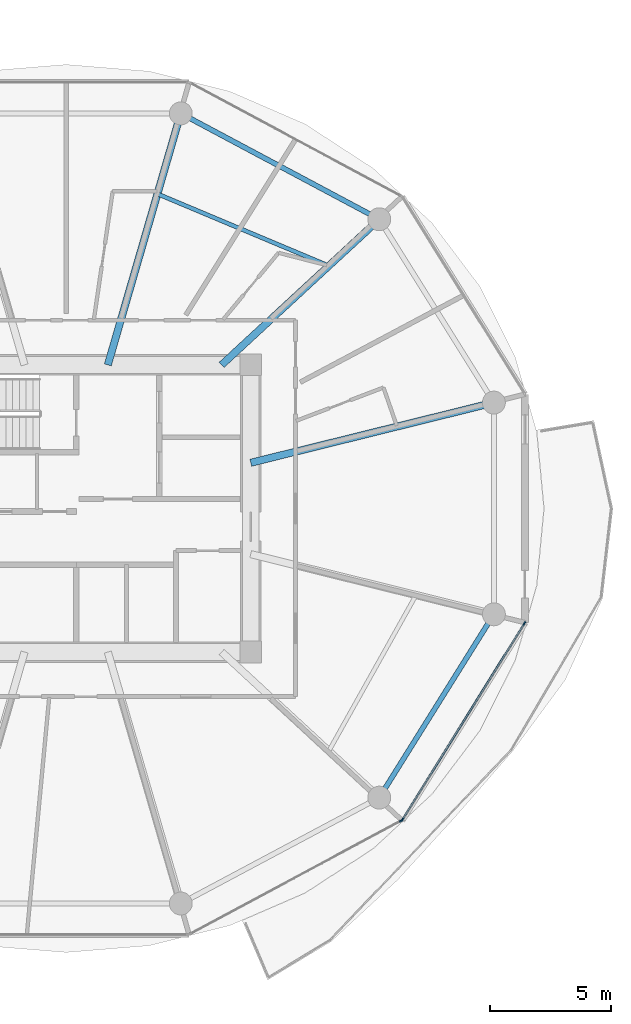
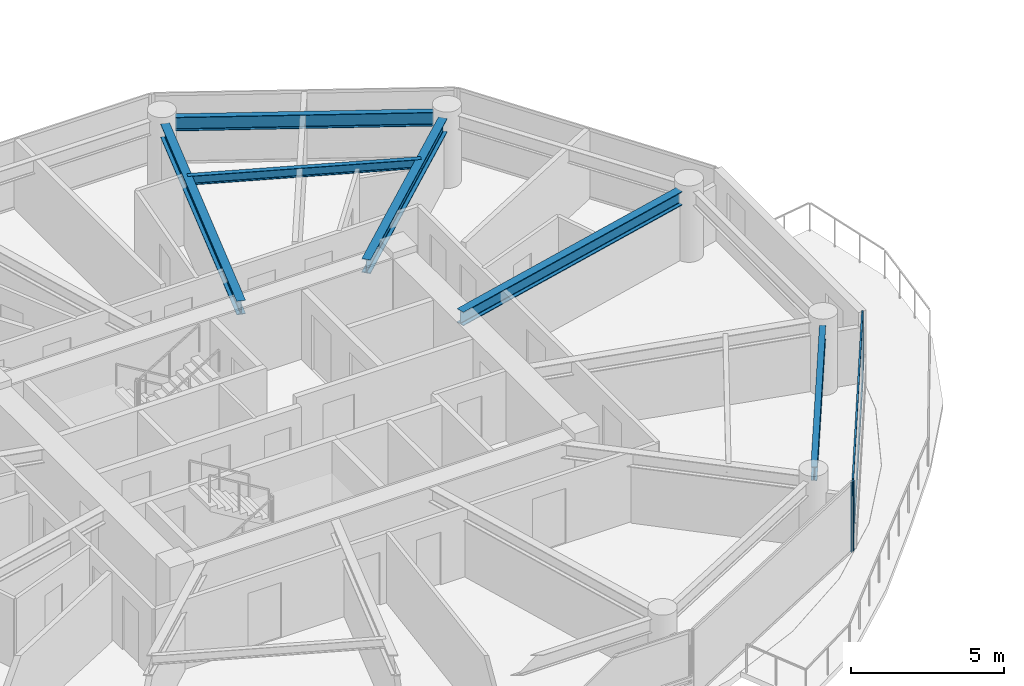
# One storey, part 5 of 27: 6 beams, 5 members, 2 elements without a shape of their own.
"""IFC4 building model written with IfcOpenShell, lengths in metres."""

from ifc_helpers import new_model, si_unit, direction, frame, origin, origin_2d, place, context, subcontext, project, spatial, rectangle, i_section, extrude, source, transform, mapped, material, layer, layer_set, material_profile, profile_set, type_object, type_shapes, element, aggregate, save


model = new_model("IFC4")

# Units and contexts
model_context = context("Model", 3, precision=1e-05, world=origin(), true_north=direction((0.0, 1.0)))
body_context = subcontext(model_context, "Body", "Model", "MODEL_VIEW")
ifc_project = project(units=[si_unit("LENGTHUNIT", "METRE"), si_unit("AREAUNIT", "SQUARE_METRE"), si_unit("VOLUMEUNIT", "CUBIC_METRE"), si_unit("PLANEANGLEUNIT", "RADIAN"), si_unit("MASSUNIT", "GRAM", prefix="KILO")], contexts=[model_context])

# Site, building, storey
site_placement = place(None, origin())
site = spatial("IfcSite", under=ifc_project, at=site_placement, CompositionType="ELEMENT")
building_placement = place(site_placement, origin())
building = spatial("IfcBuilding", under=site, at=building_placement, Name="Norrkilde Senior Care Towers", CompositionType="ELEMENT")
storey_placement = place(building_placement, frame((0.0, 0.0, 61.25)))
storey = spatial("IfcBuildingStorey", under=building, at=storey_placement, Name="L18", CompositionType="ELEMENT", Elevation=61.25)

# Beams
ifc_material_1 = material(Name="Steel S355", Category="steel")
ifc_material_profile_1 = material_profile(ifc_material_1, i_section(OverallWidth=0.2099609375, OverallDepth=0.550048828125, WebThickness=0.010986328125, FlangeThickness=0.01708984375, FilletRadius=0.02392578125, at=origin_2d()), Name="IPE 550")
ifc_profile_set_1 = profile_set([ifc_material_profile_1], Name="Steel S355")
beam_type_1 = type_object("IfcBeamType", Name="Perimeter Ring Spandrel Z1 IPE550", PredefinedType="SPANDREL", material=ifc_profile_set_1)
shared_shape_1 = source(origin(), body_context, "Body", "SweptSolid", [
    extrude(i_section(OverallWidth=0.2099609375, OverallDepth=0.550048828125, WebThickness=0.010986328125, FlangeThickness=0.01708984375, FilletRadius=0.02392578125, at=origin_2d()), origin(), (0.0, 0.0, 1.0), 8.090576171875),
])
beam_1_placement = place(storey_placement, frame((-14.7939453125, -11.61669921875, 2.514892578125), z_axis=(0.530004364821, 0.84799491347, 0.0), x_axis=(-0.84799491347, 0.530004364821, 0.0)))
element("IfcBeam", 1, at=beam_1_placement, inside=storey, type_object=beam_type_1, Name="L18 Drum W Perimeter Spandrel 11", PredefinedType="SPANDREL", context=body_context, shape_type="MappedRepresentation", body=[
    mapped(shared_shape_1, transform((0.0, 0.0, 0.0), x_axis=(1.0, 0.0, 0.0), y_axis=(0.0, 1.0, 0.0), z_axis=(0.0, 0.0, 1.0), scale=1.0)),
])
ifc_material_profile_2 = material_profile(ifc_material_1, i_section(OverallWidth=0.300048828125, OverallDepth=0.550048828125, WebThickness=0.014892578125, FlangeThickness=0.029052734375, FilletRadius=0.027099609375, at=origin_2d()), Name="HEB 550")
ifc_profile_set_2 = profile_set([ifc_material_profile_2], Name="Steel S355")
beam_type_2 = type_object("IfcBeamType", Name="Radial Floor Beam Z1 HEB550", PredefinedType="BEAM", material=ifc_profile_set_2)
shared_shape_2 = source(origin(), body_context, "Body", "SweptSolid", [
    extrude(i_section(OverallWidth=0.300048828125, OverallDepth=0.550048828125, WebThickness=0.014892578125, FlangeThickness=0.029052734375, FilletRadius=0.027099609375, at=origin_2d()), origin(), (0.0, 0.0, 1.0), 9.94384765625),
])
beam_2_placement = place(storey_placement, frame((-20.35009765625, 1.893310546875, 2.514892578125), z_axis=(0.970707425182, 0.240264634718, 0.0), x_axis=(-0.240264634718, 0.970707425182, 0.0)))
element("IfcBeam", 2, at=beam_2_placement, inside=storey, type_object=beam_type_2, Name="L18 Drum W Radial Floor Beam 01", PredefinedType="BEAM", context=body_context, shape_type="MappedRepresentation", body=[
    mapped(shared_shape_2, transform((0.0, 0.0, 0.0), x_axis=(1.0, 0.0, 0.0), y_axis=(0.0, 1.0, 0.0), z_axis=(0.0, 0.0, 1.0), scale=1.0)),
])
shared_shape_3 = source(origin(), body_context, "Body", "SweptSolid", [
    extrude(i_section(OverallWidth=0.2099609375, OverallDepth=0.550048828125, WebThickness=0.010986328125, FlangeThickness=0.01708984375, FilletRadius=0.02392578125, at=origin_2d()), origin(), (0.0, 0.0, 1.0), 8.452880859375),
])
type_shapes(beam_type_1, [shared_shape_1, shared_shape_3])
beam_3_placement = place(storey_placement, frame((-15.408447265625, 12.190185546875, 2.514892578125), z_axis=(-0.882368931134, 0.470558252898, 0.0), x_axis=(-0.470558252898, -0.882368931134, 0.0)))
element("IfcBeam", 3, at=beam_3_placement, inside=storey, type_object=beam_type_1, Name="L18 Drum W Perimeter Spandrel 02", PredefinedType="SPANDREL", context=body_context, shape_type="MappedRepresentation", body=[
    mapped(shared_shape_3, transform((0.0, 0.0, 0.0), x_axis=(1.0, 0.0, 0.0), y_axis=(0.0, 1.0, 0.0), z_axis=(0.0, 0.0, 1.0), scale=1.0)),
])
shared_shape_4 = source(origin(), body_context, "Body", "SweptSolid", [
    extrude(i_section(OverallWidth=0.300048828125, OverallDepth=0.550048828125, WebThickness=0.014892578125, FlangeThickness=0.029052734375, FilletRadius=0.027099609375, at=origin_2d()), origin(), (0.0, 0.0, 1.0), 8.459716796875),
])
beam_4_placement = place(storey_placement, frame((-21.55859375, 5.949951171875, 2.514892578125), z_axis=(0.734573269108, 0.678529374686, 0.0), x_axis=(-0.678529374686, 0.734573269108, 0.0)))
element("IfcBeam", 4, at=beam_4_placement, inside=storey, type_object=beam_type_2, Name="L18 Drum W Radial Floor Beam 02", PredefinedType="BEAM", context=body_context, shape_type="MappedRepresentation", body=[
    mapped(shared_shape_4, transform((0.0, 0.0, 0.0), x_axis=(1.0, 0.0, 0.0), y_axis=(0.0, 1.0, 0.0), z_axis=(0.0, 0.0, 1.0), scale=1.0)),
])
shared_shape_5 = source(origin(), body_context, "Body", "SweptSolid", [
    extrude(i_section(OverallWidth=0.300048828125, OverallDepth=0.550048828125, WebThickness=0.014892578125, FlangeThickness=0.029052734375, FilletRadius=0.027099609375, at=origin_2d()), origin(), (0.0, 0.0, 1.0), 10.4169921875),
])
type_shapes(beam_type_2, [shared_shape_2, shared_shape_4, shared_shape_5])
beam_5_placement = place(storey_placement, frame((-26.27392578125, 5.949951171875, 2.514892578125), z_axis=(0.278591250785, 0.960409764104, 0.0), x_axis=(-0.960409764104, 0.278591250785, 0.0)))
element("IfcBeam", 5, at=beam_5_placement, inside=storey, type_object=beam_type_2, Name="L18 Drum W Radial Floor Beam 03", PredefinedType="BEAM", context=body_context, shape_type="MappedRepresentation", body=[
    mapped(shared_shape_5, transform((0.0, 0.0, 0.0), x_axis=(1.0, 0.0, 0.0), y_axis=(0.0, 1.0, 0.0), z_axis=(0.0, 0.0, 1.0), scale=1.0)),
])
ifc_material_profile_3 = material_profile(ifc_material_1, i_section(OverallWidth=0.169921875, OverallDepth=0.360107421875, WebThickness=0.008056640625, FlangeThickness=0.0126953125, FilletRadius=0.01806640625, at=origin_2d()), Name="IPE 360")
ifc_profile_set_3 = profile_set([ifc_material_profile_3], Name="Steel S355")
beam_type_3 = type_object("IfcBeamType", Name="Secondary Floor Joist IPE360", PredefinedType="JOIST", material=ifc_profile_set_3)
shared_shape_6 = source(origin(), body_context, "Body", "SweptSolid", [
    extrude(i_section(OverallWidth=0.169921875, OverallDepth=0.360107421875, WebThickness=0.008056640625, FlangeThickness=0.0126953125, FilletRadius=0.01806640625, at=origin_2d()), origin(), (0.0, 0.0, 1.0), 7.703857421875),
])
type_shapes(beam_type_3, [shared_shape_6])
beam_6_placement = place(storey_placement, frame((-17.115478515625, 10.05419921875, 2.610107421875), z_axis=(-0.921982784465, 0.387230868023, 0.0), x_axis=(-0.387230868023, -0.921982784465, 0.0)))
element("IfcBeam", 6, at=beam_6_placement, inside=storey, type_object=beam_type_3, Name="L18 Drum W Secondary Floor Joist 1", PredefinedType="JOIST", context=body_context, shape_type="MappedRepresentation", body=[
    mapped(shared_shape_6, transform((0.0, 0.0, 0.0), x_axis=(1.0, 0.0, 0.0), y_axis=(0.0, 1.0, 0.0), z_axis=(0.0, 0.0, 1.0), scale=1.0)),
])

# Curtain wall, member
ifc_material_2 = material(Name="Triple Low-E Insulated Glazing", Category="glass")
ifc_layer = layer(ifc_material_2, 0.199951171875)
ifc_layer_set = layer_set([ifc_layer], Name="Triple Low-E Insulated Glazing")
curtain_wall_type = type_object("IfcCurtainWallType", Name="CW2 Zone 1 Memory Care Curtain Wall", PredefinedType="NOTDEFINED", material=ifc_layer_set)
curtain_wall_1_placement = place(storey_placement, origin())
curtain_wall_1 = element("IfcCurtainWall", 7, at=curtain_wall_1_placement, inside=storey, type_object=curtain_wall_type, Name="L18 Drum W Curtain Wall 09", PredefinedType="NOTDEFINED")
ifc_material_3 = material(Name="Anodised Aluminium", Category="aluminium")
ifc_material_profile_4 = material_profile(ifc_material_3, rectangle(XDim=0.06494140625, YDim=0.159912109375, at=origin_2d()), Name="ALU MULL 65x160")
ifc_profile_set_4 = profile_set([ifc_material_profile_4], Name="Anodised Aluminium")
member_type_1 = type_object("IfcMemberType", Name="Curtain Wall Mullion Z1-Z2 65x160", PredefinedType="MULLION", material=ifc_profile_set_4)
shared_shape_7 = source(origin(), body_context, "Body", "SweptSolid", [
    extrude(rectangle(XDim=0.06494140625, YDim=0.159912109375, at=origin_2d()), origin(), (0.0, 0.0, 1.0), 2.7900390625),
])
type_shapes(member_type_1, [shared_shape_7])
member_1_placement = place(storey_placement, frame((-14.11279296875, -12.941162109375, 0.0), z_axis=(0.0, 0.0, 1.0), x_axis=(0.472607802456, -0.881272866403, 0.0)))
member_1 = element("IfcMember", 8, at=member_1_placement, type_object=member_type_1, Name="CW-2 mullion 1", PredefinedType="MULLION", context=body_context, shape_type="MappedRepresentation", body=[
    mapped(shared_shape_7, transform((0.0, 0.0, 0.0), x_axis=(1.0, 0.0, 0.0), y_axis=(0.0, 1.0, 0.0), z_axis=(0.0, 0.0, 1.0), scale=1.0)),
])
aggregate(curtain_wall_1, [member_1])

# Curtain wall, members
curtain_wall_2_placement = place(storey_placement, origin())
curtain_wall_2 = element("IfcCurtainWall", 9, at=curtain_wall_2_placement, inside=storey, type_object=curtain_wall_type, Name="L18 Drum W Curtain Wall 10", PredefinedType="NOTDEFINED")
member_2_placement = place(storey_placement, frame((-9.0078125, -4.7587890625, 0.0), z_axis=(0.0, 0.0, 1.0), x_axis=(0.849305943117, -0.527900951871, 0.0)))
member_2 = element("IfcMember", 10, at=member_2_placement, type_object=member_type_1, Name="CW-2 mullion 1", PredefinedType="MULLION", context=body_context, shape_type="MappedRepresentation", body=[
    mapped(shared_shape_7, transform((0.0, 0.0, 0.0), x_axis=(1.0, 0.0, 0.0), y_axis=(0.0, 1.0, 0.0), z_axis=(0.0, 0.0, 1.0), scale=1.0)),
])
member_3_placement = place(storey_placement, frame((-14.06689453125, -12.898193359375, 0.0), z_axis=(0.0, 0.0, 1.0), x_axis=(0.849305943117, -0.527900951871, 0.0)))
member_3 = element("IfcMember", 11, at=member_3_placement, type_object=member_type_1, Name="CW-2 mullion 2", PredefinedType="MULLION", context=body_context, shape_type="MappedRepresentation", body=[
    mapped(shared_shape_7, transform((0.0, 0.0, 0.0), x_axis=(1.0, 0.0, 0.0), y_axis=(0.0, 1.0, 0.0), z_axis=(0.0, 0.0, 1.0), scale=1.0)),
])
ifc_material_profile_5 = material_profile(ifc_material_3, rectangle(XDim=0.06005859375, YDim=0.1201171875, at=origin_2d()), Name="ALU TRAN 60x120")
ifc_profile_set_5 = profile_set([ifc_material_profile_5], Name="Anodised Aluminium")
member_type_2 = type_object("IfcMemberType", Name="Curtain Wall Transom Typical 60x120", PredefinedType="USERDEFINED", material=ifc_profile_set_5)
shared_shape_8 = source(origin(), body_context, "Body", "SweptSolid", [
    extrude(rectangle(XDim=0.06005859375, YDim=0.1201171875, at=origin_2d()), origin(), (0.0, 0.0, 1.0), 9.5185546875),
])
type_shapes(member_type_2, [shared_shape_8])
member_4_placement = place(storey_placement, frame((-9.02490234375, -4.786376953125, 0.030029296875), z_axis=(-0.527901620669, -0.849305527413, 0.0), x_axis=(0.849305527413, -0.527901620669, 0.0)))
member_4 = element("IfcMember", 12, at=member_4_placement, type_object=member_type_2, Name="CW-2 transom 1.1", ObjectType="TRANSOM", PredefinedType="USERDEFINED", context=body_context, shape_type="MappedRepresentation", body=[
    mapped(shared_shape_8, transform((0.0, 0.0, 0.0), x_axis=(1.0, 0.0, 0.0), y_axis=(0.0, 1.0, 0.0), z_axis=(0.0, 0.0, 1.0), scale=1.0)),
])
member_5_placement = place(storey_placement, frame((-9.02490234375, -4.786376953125, 2.760009765625), z_axis=(-0.527901620669, -0.849305527413, 0.0), x_axis=(0.849305527413, -0.527901620669, 0.0)))
member_5 = element("IfcMember", 13, at=member_5_placement, type_object=member_type_2, Name="CW-2 transom 1.2", ObjectType="TRANSOM", PredefinedType="USERDEFINED", context=body_context, shape_type="MappedRepresentation", body=[
    mapped(shared_shape_8, transform((0.0, 0.0, 0.0), x_axis=(1.0, 0.0, 0.0), y_axis=(0.0, 1.0, 0.0), z_axis=(0.0, 0.0, 1.0), scale=1.0)),
])
aggregate(curtain_wall_2, [member_2, member_3, member_4, member_5])

save(model, "model.ifc")
